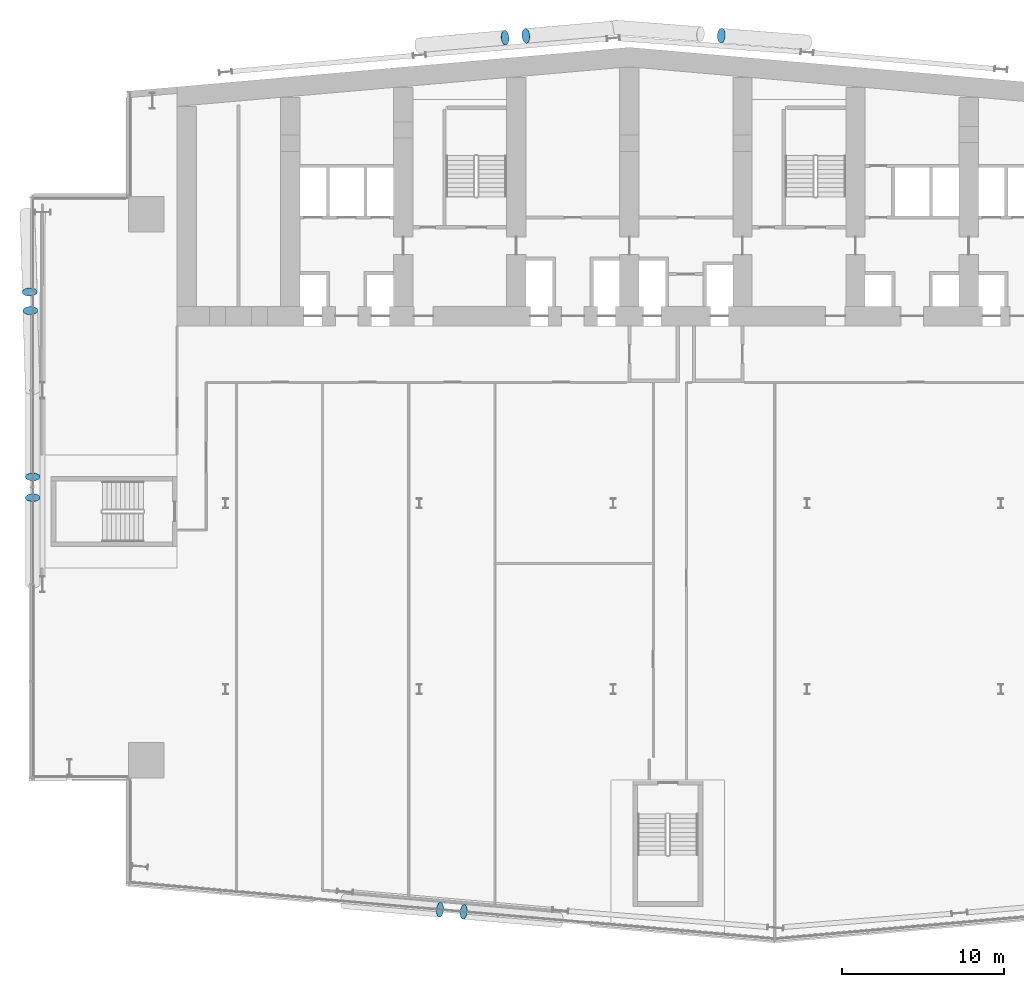
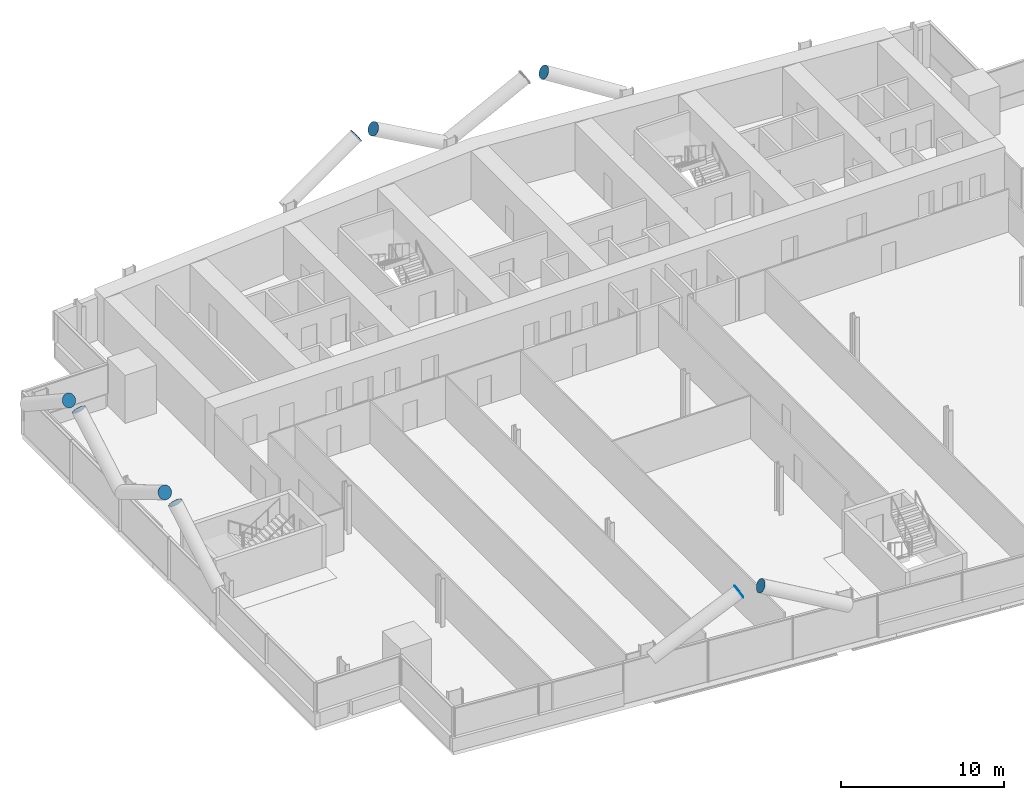
# One storey, part 18 of 24: 9 discrete accessories.
"""IFC4 building model written with IfcOpenShell, lengths in metres."""

from ifc_helpers import new_model, si_unit, direction, frame, origin, origin_2d, place, context, subcontext, project, spatial, circle, extrude, material, material_profile, profile_set, type_object, element, save


model = new_model("IFC4")

# Units and contexts
model_context = context("Model", 3, precision=1e-05, world=origin(), true_north=direction((0.0, 1.0)))
body_context = subcontext(model_context, "Body", "Model", "MODEL_VIEW")
ifc_project = project(units=[si_unit("LENGTHUNIT", "METRE"), si_unit("AREAUNIT", "SQUARE_METRE"), si_unit("VOLUMEUNIT", "CUBIC_METRE"), si_unit("PLANEANGLEUNIT", "RADIAN"), si_unit("MASSUNIT", "GRAM", prefix="KILO")], contexts=[model_context])

# Site, building, storey
site_placement = place(None, origin())
site = spatial("IfcSite", under=ifc_project, at=site_placement, CompositionType="ELEMENT")
building_placement = place(site_placement, origin())
building = spatial("IfcBuilding", under=site, at=building_placement, Name="Wharfspan Tower", CompositionType="ELEMENT")
storey_placement = place(building_placement, frame((0.0, 0.0, 66.699951)))
storey = spatial("IfcBuildingStorey", under=building, at=storey_placement, Name="L13", CompositionType="ELEMENT", Elevation=66.699951)

# Discrete accessories
ifc_material = material(Name="Steel S460NH", Category="steel")
ifc_material_profile = material_profile(ifc_material, circle(Radius=0.457031, at=origin_2d()))
ifc_profile_set = profile_set([ifc_material_profile], Name="Steel S460NH")
discrete_accessory_type = type_object("IfcDiscreteAccessoryType", Name="End plate CHS 914x40", PredefinedType="BRACKET", material=ifc_profile_set)
for number, where, z_axis, x_axis, name in (
    (1, (25.263184, -2.155029, 6.099609), (0.881993, -0.073499, 0.465496), (0.083046, 0.996545, -2e-06), "End plate CHS 914x40"),
    (2, (26.746338, -2.284912, 6.099609), (-0.880146, 0.097794, 0.464521), (-0.110432, -0.993888, 0.0), "End plate CHS 914x40"),
):
    element("IfcDiscreteAccessory", number, at=place(storey_placement, frame(where, z_axis=z_axis, x_axis=x_axis)), inside=storey, type_object=discrete_accessory_type, Name=name, PredefinedType="BRACKET", context=body_context, shape_type="SweptSolid", body=[
        extrude(circle(Radius=0.457031, at=origin_2d()), origin(), (0.0, 0.0, 1.0), 0.01001),
    ])
for number, where, z_axis, x_axis, name in (
    (3, (0.054932, 24.649902, 6.110107), (0.0, -0.863779, 0.503871), (1.0, 0.0, 0.0), "End plate CHS 914x40"),
    (4, (0.054932, 23.350098, 6.110107), (0.0, 0.863779, 0.503871), (-1.0, 0.0, 0.0), "End plate CHS 914x40"),
):
    element("IfcDiscreteAccessory", number, at=place(storey_placement, frame(where, z_axis=z_axis, x_axis=x_axis)), inside=storey, type_object=discrete_accessory_type, Name=name, PredefinedType="BRACKET", context=body_context, shape_type="SweptSolid", body=[
        extrude(circle(Radius=0.457031, at=origin_2d()), origin(), (0.0, 0.0, 1.0), 0.010254),
    ])
for number, where, z_axis, x_axis, name in (
    (5, (-0.126465, 36.100586, 6.119385), (0.024686, -0.839314, 0.543086), (0.999566, 0.0294, 1e-06), "End plate CHS 914x40"),
    (6, (-0.091797, 34.933594, 6.119385), (-0.024686, 0.839314, 0.543086), (-0.999566, -0.0294, 1e-06), "End plate CHS 914x40"),
    (7, (29.296875, 51.831055, 6.109863), (0.855186, 0.073302, 0.513112), (-0.085402, 0.996345, 1e-06), "End plate CHS 914x40"),
    (8, (30.597656, 51.944824, 6.109863), (-0.855186, -0.073302, 0.513112), (0.085402, -0.996345, 1e-06), "End plate CHS 914x40"),
    (9, (42.696533, 51.959961, 6.109863), (-0.856465, 0.048941, 0.513879), (-0.05705, -0.998372, 0.0), "End plate CHS 914x40"),
):
    element("IfcDiscreteAccessory", number, at=place(storey_placement, frame(where, z_axis=z_axis, x_axis=x_axis)), inside=storey, type_object=discrete_accessory_type, Name=name, PredefinedType="BRACKET", context=body_context, shape_type="SweptSolid", body=[
        extrude(circle(Radius=0.457031, at=origin_2d()), origin(), (0.0, 0.0, 1.0), 0.01001),
    ])

save(model, "model.ifc")
